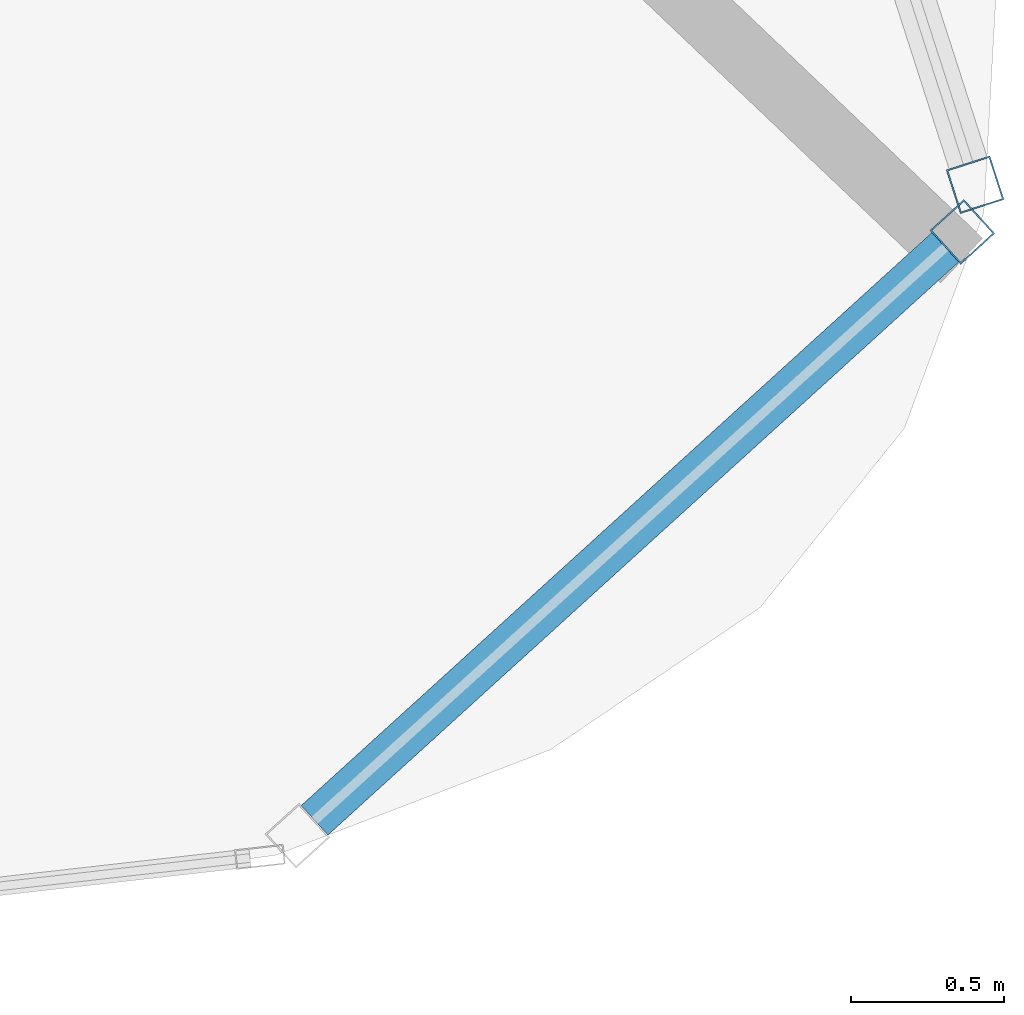
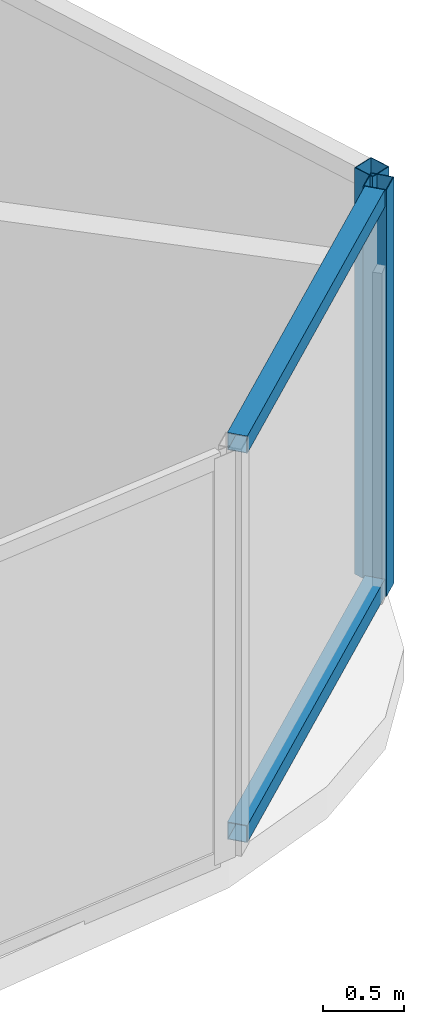
# One storey, part 15 of 32: 4 members, 2 elements without a shape of their own.
"""IFC4 building model written with IfcOpenShell, lengths in metres."""

from ifc_helpers import new_model, si_unit, direction, frame, origin, origin_2d, place, context, subcontext, project, spatial, hollow_rectangle, extrude, material, layer, layer_set, material_profile, profile_set, type_object, element, aggregate, save


model = new_model("IFC4")

# Units and contexts
model_context = context("Model", 3, precision=1e-05, world=origin(), true_north=direction((0.0, 1.0)))
body_context = subcontext(model_context, "Body", "Model", "MODEL_VIEW")
ifc_project = project(units=[si_unit("LENGTHUNIT", "METRE"), si_unit("AREAUNIT", "SQUARE_METRE"), si_unit("VOLUMEUNIT", "CUBIC_METRE"), si_unit("PLANEANGLEUNIT", "RADIAN"), si_unit("MASSUNIT", "GRAM", prefix="KILO")], contexts=[model_context])

# Site, building, storey
site_placement = place(None, origin())
site = spatial("IfcSite", under=ifc_project, at=site_placement, CompositionType="ELEMENT")
building_placement = place(site_placement, origin())
building = spatial("IfcBuilding", under=site, at=building_placement, Name="Orvanel Arch Residences", CompositionType="ELEMENT")
storey_placement = place(building_placement, frame((0.0, 0.0, 219.5)))
storey = spatial("IfcBuildingStorey", under=building, at=storey_placement, Name="L62", CompositionType="ELEMENT", Elevation=219.5)

# Curtain wall, member
ifc_material = material(Name="Bronze-anodised aluminium AA6063-T6", Category="aluminium")
ifc_layer = layer(ifc_material, 0.18994140625)
ifc_layer_set = layer_set([ifc_layer], Name="Bronze-anodised aluminium AA6063-T6")
curtain_wall_type = type_object("IfcCurtainWallType", Name="CW5-CRN-SYS", PredefinedType="NOTDEFINED", material=ifc_layer_set)
curtain_wall_1_placement = place(storey_placement, origin())
curtain_wall_1 = element("IfcCurtainWall", 1, at=curtain_wall_1_placement, inside=storey, type_object=curtain_wall_type, Name="L62 CW5-CRN-SYS Unitised Curtain Wall", PredefinedType="NOTDEFINED")
ifc_material_profile_1 = material_profile(ifc_material, hollow_rectangle(XDim=0.14990234375, YDim=0.14990234375, WallThickness=0.0048828125, at=origin_2d()), Name="ALU150x150x5")
ifc_profile_set_1 = profile_set([ifc_material_profile_1], Name="Bronze-anodised aluminium AA6063-T6")
member_type_1 = type_object("IfcMemberType", Name="MUL-150x150", PredefinedType="MULLION", material=ifc_profile_set_1)
member_1_placement = place(storey_placement, frame((56.0615234375, 8.656494140625, 0.0), z_axis=(0.0, 0.0, 1.0), x_axis=(-0.672365707037, 0.740219127016, 0.0)))
member_1 = element("IfcMember", 2, at=member_1_placement, type_object=member_type_1, Name="CW-S5 mullion 2", PredefinedType="MULLION", context=body_context, shape_type="SweptSolid", body=[
    extrude(hollow_rectangle(XDim=0.14990234375, YDim=0.14990234375, WallThickness=0.0048828125, at=origin_2d()), origin(), (0.0, 0.0, 1.0), 3.06005859375),
])

curtain_wall_2_placement = place(storey_placement, origin())
curtain_wall_2 = element("IfcCurtainWall", 3, at=curtain_wall_2_placement, inside=storey, type_object=curtain_wall_type, Name="L62 CW5-CRN-SYS Unitised Curtain Wall", PredefinedType="NOTDEFINED")
member_2_placement = place(storey_placement, frame((56.10302734375, 8.810302734375, 0.0), z_axis=(0.0, 0.0, 1.0), x_axis=(-0.951837092592, -0.306604222357, 0.0)))
member_2 = element("IfcMember", 4, at=member_2_placement, type_object=member_type_1, Name="CW-S5 mullion 1", PredefinedType="MULLION", context=body_context, shape_type="SweptSolid", body=[
    extrude(hollow_rectangle(XDim=0.14990234375, YDim=0.14990234375, WallThickness=0.0048828125, at=origin_2d()), origin(), (0.0, 0.0, 1.0), 3.06005859375),
])
aggregate(curtain_wall_2, [member_2])

# Member
ifc_material_profile_2 = material_profile(ifc_material, hollow_rectangle(XDim=0.1298828125, YDim=0.1298828125, WallThickness=0.00439453125, at=origin_2d()), Name="ALU130x130x4.5")
ifc_profile_set_2 = profile_set([ifc_material_profile_2], Name="Bronze-anodised aluminium AA6063-T6")
member_type_2 = type_object("IfcMemberType", Name="TRN-130x130", PredefinedType="USERDEFINED", material=ifc_profile_set_2)
member_3_placement = place(storey_placement, frame((53.947998046875, 6.73681640625, 0.06494140625), z_axis=(0.74019035374, 0.672397382677, 0.0), x_axis=(-0.672397382677, 0.74019035374, 0.0)))
member_3 = element("IfcMember", 5, at=member_3_placement, type_object=member_type_2, Name="CW-S5 transom 1.1", ObjectType="TRANSOM", PredefinedType="USERDEFINED", context=body_context, shape_type="SweptSolid", body=[
    extrude(hollow_rectangle(XDim=0.1298828125, YDim=0.1298828125, WallThickness=0.00439453125, at=origin_2d()), origin(), (0.0, 0.0, 1.0), 2.7802734375),
])

member_4_placement = place(storey_placement, frame((53.947998046875, 6.73681640625, 2.9951171875), z_axis=(0.74019035374, 0.672397382677, 0.0), x_axis=(-0.672397382677, 0.74019035374, 0.0)))
member_4 = element("IfcMember", 6, at=member_4_placement, type_object=member_type_2, Name="CW-S5 transom 1.2", ObjectType="TRANSOM", PredefinedType="USERDEFINED", context=body_context, shape_type="SweptSolid", body=[
    extrude(hollow_rectangle(XDim=0.1298828125, YDim=0.1298828125, WallThickness=0.00439453125, at=origin_2d()), origin(), (0.0, 0.0, 1.0), 2.7802734375),
])

aggregate(curtain_wall_1, [member_1, member_3, member_4])

save(model, "model.ifc")
